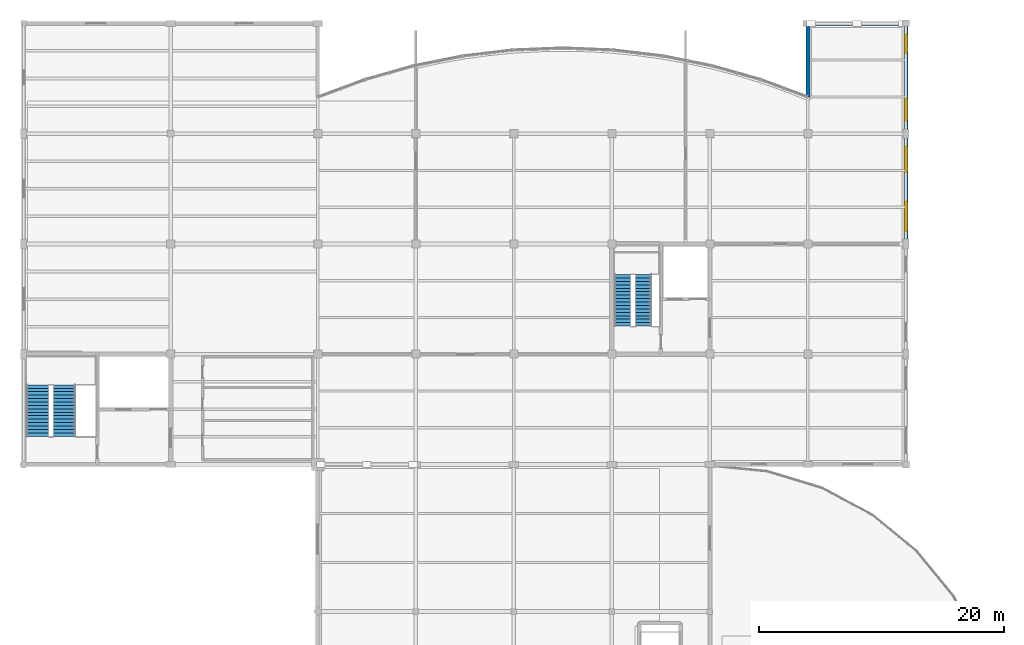
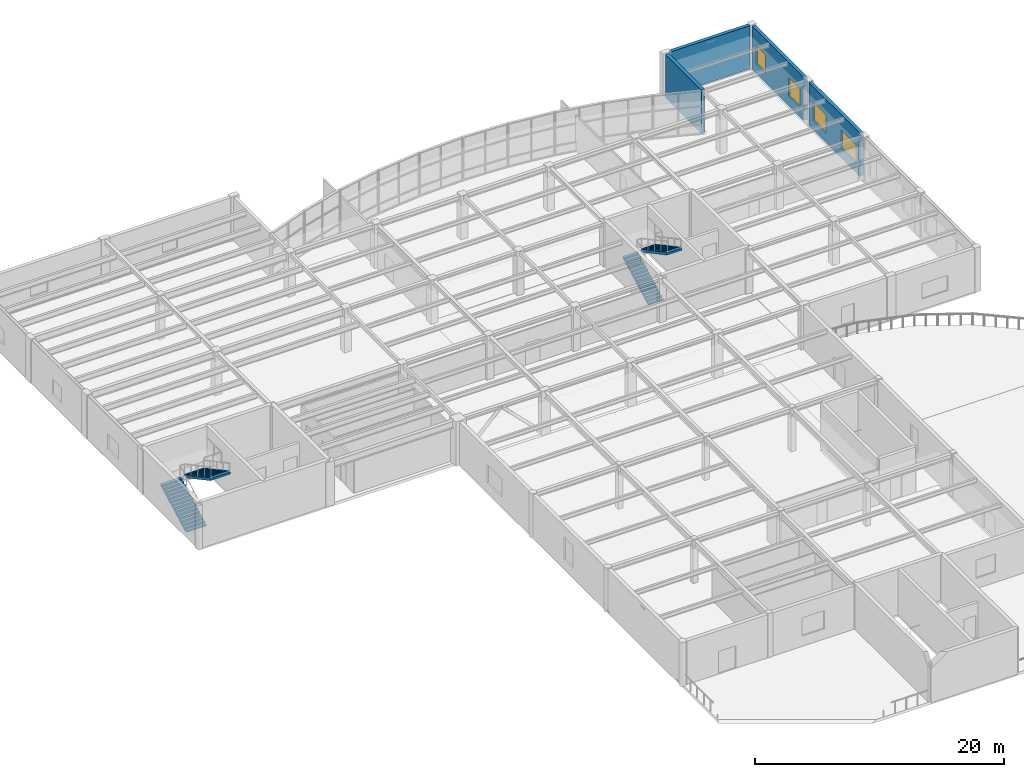
# One storey, part 10 of 16: 4 stair flights, 4 walls, 4 windows, 4 openings, 2 elements without a shape of their own.
"""IFC4 building model written with IfcOpenShell, lengths in metres."""

import ifcopenshell
import ifcopenshell.guid

model = None  # the IFC model being written
_history = None  # IfcOwnerHistory: only IFC2X3 demands one
_inside = {}  # id of a spatial element -> (the spatial element, [elements in it])
_under = {}  # id of a project, library or spatial element -> (it, [spatial elements below it])
_declared = {}  # id of a project -> (the project, [libraries it declares])
_typed = {}  # id of a type object -> (the type object, [elements of that type])
_made_of = {}  # id of a material, layer set ... -> (it, [elements and type objects made of it])


def new_model(schema):
    """Start an empty IFC model of exactly this schema.

    Asked for "IFC4X3", IfcOpenShell would pick the latest addendum, in which some entities
    have other attributes; the version numbers below select the first issue.
    IFC2X3 requires an IfcOwnerHistory on every rooted entity: one is made here for all.
    """
    global model, _history
    if schema == "IFC4X3":
        model = ifcopenshell.file(schema_version=(4, 3, 0, 0))
    else:
        model = ifcopenshell.file(schema=schema)
    _inside.clear()
    _under.clear()
    _declared.clear()
    _typed.clear()
    _made_of.clear()
    _history = None
    if model.schema == "IFC2X3":
        org = make("IfcOrganization", Name="unknown")
        user = make(
            "IfcPersonAndOrganization",
            ThePerson=make("IfcPerson", FamilyName="unknown"),
            TheOrganization=org,
        )
        app = make(
            "IfcApplication",
            ApplicationDeveloper=org,
            Version="unknown",
            ApplicationFullName="unknown",
            ApplicationIdentifier="unknown",
        )
        _history = make(
            "IfcOwnerHistory",
            OwningUser=user,
            OwningApplication=app,
            ChangeAction="ADDED",
            CreationDate=0,
        )
    return model


def make(cls, **values):
    """One entity of the class cls with the attributes given. An attribute that is None is left unset."""
    return model.create_entity(
        cls, **{name: value for name, value in values.items() if value is not None}
    )


def rooted(cls, **values):
    """An entity with a GlobalId (a new one), such as an element, a storey or a relation."""
    return make(cls, GlobalId=ifcopenshell.guid.new(), OwnerHistory=_history, **values)


def si_unit(unit_type, name, prefix=None):
    """IfcSIUnit, for example si_unit("LENGTHUNIT", "METRE", prefix="MILLI")."""
    return make("IfcSIUnit", UnitType=unit_type, Prefix=prefix, Name=name)


def assignment(units):
    """IfcUnitAssignment: the units of a project."""
    return None if units is None else make("IfcUnitAssignment", Units=units)


def point(xyz):
    """IfcCartesianPoint."""
    return None if xyz is None else make("IfcCartesianPoint", Coordinates=xyz)


def direction(xyz):
    """IfcDirection."""
    return None if xyz is None else make("IfcDirection", DirectionRatios=xyz)


def frame(location, z_axis=None, x_axis=None):
    """IfcAxis2Placement3D, a coordinate frame: its origin and axes. An axis left out is left unset."""
    return make(
        "IfcAxis2Placement3D",
        Location=point(location),
        Axis=direction(z_axis),
        RefDirection=direction(x_axis),
    )


def frame_2d(location, x_axis=None):
    """IfcAxis2Placement2D, a coordinate frame in the plane: its origin and x axis."""
    return make(
        "IfcAxis2Placement2D", Location=point(location), RefDirection=direction(x_axis)
    )


def origin():
    """The frame at (0, 0, 0) with its axes left unset."""
    return frame((0.0, 0.0, 0.0))


def place(relative_to, where):
    """IfcLocalPlacement: puts the frame where relative to a parent placement (None: the world)."""
    return make(
        "IfcLocalPlacement", PlacementRelTo=relative_to, RelativePlacement=where
    )


def context(
    kind, dimensions, precision=None, world=None, true_north=None, identifier=None
):
    """IfcGeometricRepresentationContext, for example the 3D "Model" context."""
    return make(
        "IfcGeometricRepresentationContext",
        ContextIdentifier=identifier,
        ContextType=kind,
        CoordinateSpaceDimension=dimensions,
        Precision=precision,
        WorldCoordinateSystem=world,
        TrueNorth=true_north,
    )


def subcontext(parent, identifier, kind, view, scale=None):
    """IfcGeometricRepresentationSubContext, for example "Body" below "Model"."""
    return make(
        "IfcGeometricRepresentationSubContext",
        ContextIdentifier=identifier,
        ContextType=kind,
        ParentContext=parent,
        TargetScale=scale,
        TargetView=view,
    )


def project(units=None, contexts=None):
    """IfcProject with its units and contexts."""
    return rooted(
        "IfcProject",
        Name="project",
        RepresentationContexts=contexts,
        UnitsInContext=assignment(units),
    )


def spatial(cls, under=None, at=None, **own):
    """A site, building, storey or space (cls), placed at a placement, below another one or the project."""
    s = rooted(cls, ObjectPlacement=at, **own)
    if under is not None:
        _under.setdefault(under.id(), (under, []))[1].append(s)
    return s


def polyline(points):
    """IfcPolyline through the points."""
    return make("IfcPolyline", Points=[point(p) for p in points])


def profile(cls, at=None, kind="AREA", **sizes):
    """A parametric profile (cls). Its sizes go by their IFC names, for example OverallWidth=200.0."""
    return make(cls, ProfileType=kind, Position=at, **sizes)


def rectangle(**sizes):
    """IfcRectangleProfileDef."""
    return profile("IfcRectangleProfileDef", **sizes)


def outline(outer, holes=None, kind="AREA"):
    """IfcArbitraryClosedProfileDef: a profile drawn as a closed curve; with holes, ...WithVoids."""
    if holes is None:
        return make("IfcArbitraryClosedProfileDef", ProfileType=kind, OuterCurve=outer)
    return make(
        "IfcArbitraryProfileDefWithVoids",
        ProfileType=kind,
        OuterCurve=outer,
        InnerCurves=holes,
    )


def extrude(swept, where, along, depth):
    """IfcExtrudedAreaSolid: the profile swept, set in the frame where, extruded along a direction by depth."""
    return make(
        "IfcExtrudedAreaSolid",
        SweptArea=swept,
        Position=where,
        ExtrudedDirection=direction(along),
        Depth=depth,
    )


def shape(context_of_items, identifier, shape_type, items):
    """IfcShapeRepresentation: the items that make up one representation, for example the "Body"."""
    return make(
        "IfcShapeRepresentation",
        ContextOfItems=context_of_items,
        RepresentationIdentifier=identifier,
        RepresentationType=shape_type,
        Items=items,
    )


def material(Name=None, Category=None):
    """IfcMaterial."""
    return make("IfcMaterial", Name=Name, Category=Category)


def layer(
    of_material, thickness, ventilated=None, Name=None, Category=None, Priority=None
):
    """IfcMaterialLayer: one layer of a wall or slab, of a material (None: an air gap)."""
    return make(
        "IfcMaterialLayer",
        Material=of_material,
        LayerThickness=thickness,
        IsVentilated=ventilated,
        Name=Name,
        Category=Category,
        Priority=Priority,
    )


def layer_set(layers, Name=None):
    """IfcMaterialLayerSet."""
    return make("IfcMaterialLayerSet", MaterialLayers=layers, LayerSetName=Name)


def made_of(thing, what):
    """Note that an element or type object is made of a material, layer set ...; save() writes the relation."""
    if what is not None:
        _made_of.setdefault(what.id(), (what, []))[1].append(thing)
    return thing


def type_object(cls, material=None, **own):
    """A type object (cls), such as IfcWallType, which elements share."""
    return made_of(rooted(cls, **own), material)


def element(
    cls,
    number,
    at=None,
    inside=None,
    cuts=None,
    type_object=None,
    material=None,
    context=None,
    identifier="Body",
    shape_type=None,
    held_by="IfcProductDefinitionShape",
    body=None,
    shapes=None,
    **own,
):
    """One element of the class cls, such as IfcWall. Its Tag is "e" and its number.

    at: its placement. inside: the storey or other place that contains it. cuts: it is an
    opening in that element (IfcRelVoidsElement). A single representation is given by context,
    identifier, shape_type and body (its items); several are given by shapes. held_by: the class
    of the entity that holds the representations. save() writes the other relations.
    """
    e = rooted(cls, Tag="e%d" % number, ObjectPlacement=at, **own)
    if body is not None:
        shapes = [shape(context, identifier, shape_type, body)]
    if shapes is not None:
        e.Representation = make(held_by, Representations=shapes)
    if inside is not None:
        _inside.setdefault(inside.id(), (inside, []))[1].append(e)
    if cuts is not None:
        rooted(
            "IfcRelVoidsElement", RelatingBuildingElement=cuts, RelatedOpeningElement=e
        )
    if type_object is not None:
        _typed.setdefault(type_object.id(), (type_object, []))[1].append(e)
    return made_of(e, material)


def fill(opening, filler):
    """IfcRelFillsElement: the door or window that sits in an opening."""
    return rooted(
        "IfcRelFillsElement",
        RelatingOpeningElement=opening,
        RelatedBuildingElement=filler,
    )


def aggregate(whole, parts):
    """IfcRelAggregates: a whole, such as a stair, and the parts it consists of."""
    return rooted("IfcRelAggregates", RelatingObject=whole, RelatedObjects=parts)


def save(model, path):
    """Write the relations noted so far, then the file.

    IfcRelAggregates (storeys below a building ...), IfcRelContainedInSpatialStructure (elements
    in a storey), IfcRelDefinesByType, IfcRelAssociatesMaterial and IfcRelDeclares: one each for
    every whole, place, type object, material and project.
    """
    for whole, parts in _under.values():
        aggregate(whole, parts)
    for where, things in _inside.values():
        rooted(
            "IfcRelContainedInSpatialStructure",
            RelatedElements=things,
            RelatingStructure=where,
        )
    for kind, things in _typed.values():
        rooted("IfcRelDefinesByType", RelatedObjects=things, RelatingType=kind)
    for what, things in _made_of.values():
        rooted("IfcRelAssociatesMaterial", RelatedObjects=things, RelatingMaterial=what)
    for by, libraries in _declared.values():
        rooted("IfcRelDeclares", RelatingContext=by, RelatedDefinitions=libraries)
    model.write(path)


model = new_model("IFC4")

# Units and contexts
model_context = context("Model", 3, precision=1e-05, world=origin(), true_north=direction((0.0, 1.0)))
body_context = subcontext(model_context, "Body", "Model", "MODEL_VIEW")
ifc_project = project(units=[si_unit("LENGTHUNIT", "METRE"), si_unit("AREAUNIT", "SQUARE_METRE"), si_unit("VOLUMEUNIT", "CUBIC_METRE"), si_unit("PLANEANGLEUNIT", "RADIAN"), si_unit("MASSUNIT", "GRAM", prefix="KILO")], contexts=[model_context])

# Site, building, storey
site_placement = place(None, origin())
site = spatial("IfcSite", under=ifc_project, at=site_placement, CompositionType="ELEMENT")
building_placement = place(site_placement, origin())
building = spatial("IfcBuilding", under=site, at=building_placement, Name="Keelwater Ferry Terminal", CompositionType="ELEMENT")
storey_placement = place(building_placement, frame((0.0, 0.0, 15.0)))
storey = spatial("IfcBuildingStorey", under=building, at=storey_placement, Name="L03", CompositionType="ELEMENT", Elevation=15.0)

# Wall, openings, windows
ifc_material_1 = material(Name="Precast concrete C40/50", Category="concrete")
ifc_layer = layer(ifc_material_1, 0.320068359375)
ifc_layer_set = layer_set([ifc_layer], Name="Precast concrete C40/50")
wall_type = type_object("IfcWallType", Name="EW-TC320 External Solid Wall 320", PredefinedType="SOLIDWALL", material=ifc_layer_set)
wall_1_placement = place(storey_placement, frame((180.0, 108.39990234375, 0.0), z_axis=(0.0, 0.0, 1.0), x_axis=(0.0, 1.0, 0.0)))
wall_1 = element("IfcWall", 1, at=wall_1_placement, inside=storey, type_object=wall_type, Name="External Wall WL-L03-0111", PredefinedType="SOLIDWALL", context=body_context, shape_type="SweptSolid", body=[
    extrude(rectangle(XDim=8.2001953125, YDim=0.320068359375, at=frame_2d((4.10009765625, 0.0))), origin(), (0.0, 0.0, 1.0), 4.239990234375),
])
opening_1_placement = place(wall_1_placement, frame((0.64990234375, 0.0, 0.949951171875)))
opening_1 = element("IfcOpeningElement", 2, at=opening_1_placement, cuts=wall_1, Name="Opening WN-06", PredefinedType="OPENING", context=body_context, shape_type="SweptSolid", body=[
    extrude(rectangle(XDim=2.39990234375, YDim=1.800048828125, at=frame_2d((1.199951171875, 0.89990234375))), frame((0.0, 0.170166015625, 0.0), z_axis=(0.0, -1.0, 0.0), x_axis=(1.0, 0.0, 0.0)), (0.0, 0.0, 1.0), 0.340087890625),
])
opening_2_placement = place(wall_1_placement, frame((5.449951171875, 0.0, 0.949951171875)))
opening_2 = element("IfcOpeningElement", 3, at=opening_2_placement, cuts=wall_1, Name="Opening WN-07", PredefinedType="OPENING", context=body_context, shape_type="SweptSolid", body=[
    extrude(rectangle(XDim=2.10009765625, YDim=1.800048828125, at=frame_2d((1.050048828125, 0.89990234375))), frame((0.0, 0.170166015625, 0.0), z_axis=(0.0, -1.0, 0.0), x_axis=(1.0, 0.0, 0.0)), (0.0, 0.0, 1.0), 0.340087890625),
])
ifc_material_2 = material(Name="Triple low-E glass in thermally broken aluminium frame", Category="aluminium")
window_type_1 = type_object("IfcWindowType", Name="WN-06 Exterior Window 2400x1800", PartitioningType="SINGLE_PANEL", PredefinedType="WINDOW", material=ifc_material_2)
window_1_placement = place(opening_1_placement, origin())
window_1 = element("IfcWindow", 4, at=window_1_placement, inside=storey, type_object=window_type_1, Name="Window WN-L03-0073", OverallHeight=1.800048828125, OverallWidth=2.39990234375, PartitioningType="SINGLE_PANEL", PredefinedType="WINDOW", context=body_context, shape_type="SweptSolid", body=[
    extrude(rectangle(XDim=2.39990234375, YDim=1.800048828125, at=frame_2d((1.199951171875, 0.89990234375))), frame((0.0, 0.030029296875, 0.0), z_axis=(0.0, -1.0, 0.0), x_axis=(1.0, 0.0, 0.0)), (0.0, 0.0, 1.0), 0.06005859375),
])
fill(opening_1, window_1)
ifc_material_3 = material(Name="Triple low-E glass in thermally broken aluminium frame", Category="aluminium")
window_type_2 = type_object("IfcWindowType", Name="WN-07 Exterior Window 2100x1800", PartitioningType="SINGLE_PANEL", PredefinedType="WINDOW", material=ifc_material_3)
window_2_placement = place(opening_2_placement, origin())
window_2 = element("IfcWindow", 5, at=window_2_placement, inside=storey, type_object=window_type_2, Name="Window WN-L03-0074", OverallHeight=1.800048828125, OverallWidth=2.10009765625, PartitioningType="SINGLE_PANEL", PredefinedType="WINDOW", context=body_context, shape_type="SweptSolid", body=[
    extrude(rectangle(XDim=2.10009765625, YDim=1.800048828125, at=frame_2d((1.050048828125, 0.89990234375))), frame((0.0, 0.030029296875, 0.0), z_axis=(0.0, -1.0, 0.0), x_axis=(1.0, 0.0, 0.0)), (0.0, 0.0, 1.0), 0.06005859375),
])
fill(opening_2, window_2)

wall_2_placement = place(storey_placement, frame((180.0, 117.39990234375, 0.0), z_axis=(0.0, 0.0, 1.0), x_axis=(0.0, 1.0, 0.0)))
wall_2 = element("IfcWall", 6, at=wall_2_placement, inside=storey, type_object=wall_type, Name="External Wall WL-L03-0112", PredefinedType="SOLIDWALL", context=body_context, shape_type="SweptSolid", body=[
    extrude(rectangle(XDim=8.3251953125, YDim=0.320068359375, at=frame_2d((4.16259765625, 0.0))), origin(), (0.0, 0.0, 1.0), 4.239990234375),
])
opening_3_placement = place(wall_2_placement, frame((0.64990234375, 0.0, 0.949951171875)))
opening_3 = element("IfcOpeningElement", 7, at=opening_3_placement, cuts=wall_2, Name="Opening WN-08", PredefinedType="OPENING", context=body_context, shape_type="SweptSolid", body=[
    extrude(rectangle(XDim=1.800048828125, YDim=1.800048828125, at=frame_2d((0.89990234375, 0.89990234375))), frame((0.0, 0.170166015625, 0.0), z_axis=(0.0, -1.0, 0.0), x_axis=(1.0, 0.0, 0.0)), (0.0, 0.0, 1.0), 0.340087890625),
])
opening_4_placement = place(wall_2_placement, frame((6.175048828125, 0.0, 0.949951171875)))
opening_4 = element("IfcOpeningElement", 8, at=opening_4_placement, cuts=wall_2, Name="Opening WN-09", PredefinedType="OPENING", context=body_context, shape_type="SweptSolid", body=[
    extrude(rectangle(XDim=1.5, YDim=1.800048828125, at=frame_2d((0.75, 0.89990234375))), frame((0.0, 0.170166015625, 0.0), z_axis=(0.0, -1.0, 0.0), x_axis=(1.0, 0.0, 0.0)), (0.0, 0.0, 1.0), 0.340087890625),
])
ifc_material_4 = material(Name="Triple low-E glass in thermally broken aluminium frame", Category="aluminium")
window_type_3 = type_object("IfcWindowType", Name="WN-08 Exterior Window 1800x1800", PartitioningType="SINGLE_PANEL", PredefinedType="WINDOW", material=ifc_material_4)
window_3_placement = place(opening_3_placement, origin())
window_3 = element("IfcWindow", 9, at=window_3_placement, inside=storey, type_object=window_type_3, Name="Window WN-L03-0075", OverallHeight=1.800048828125, OverallWidth=1.800048828125, PartitioningType="SINGLE_PANEL", PredefinedType="WINDOW", context=body_context, shape_type="SweptSolid", body=[
    extrude(rectangle(XDim=1.800048828125, YDim=1.800048828125, at=frame_2d((0.89990234375, 0.89990234375))), frame((0.0, 0.030029296875, 0.0), z_axis=(0.0, -1.0, 0.0), x_axis=(1.0, 0.0, 0.0)), (0.0, 0.0, 1.0), 0.06005859375),
])
fill(opening_3, window_3)
ifc_material_5 = material(Name="Triple low-E glass in thermally broken aluminium frame", Category="aluminium")
window_type_4 = type_object("IfcWindowType", Name="WN-09 Exterior Window 1500x1800", PartitioningType="SINGLE_PANEL", PredefinedType="WINDOW", material=ifc_material_5)
window_4_placement = place(opening_4_placement, origin())
window_4 = element("IfcWindow", 10, at=window_4_placement, inside=storey, type_object=window_type_4, Name="Window WN-L03-0076", OverallHeight=1.800048828125, OverallWidth=1.5, PartitioningType="SINGLE_PANEL", PredefinedType="WINDOW", context=body_context, shape_type="SweptSolid", body=[
    extrude(rectangle(XDim=1.5, YDim=1.800048828125, at=frame_2d((0.75, 0.89990234375))), frame((0.0, 0.030029296875, 0.0), z_axis=(0.0, -1.0, 0.0), x_axis=(1.0, 0.0, 0.0)), (0.0, 0.0, 1.0), 0.06005859375),
])
fill(opening_4, window_4)

# Walls
wall_3_placement = place(storey_placement, frame((172.0, 120.0, 0.0), z_axis=(0.0, 0.0, 1.0), x_axis=(0.0, 1.0, 0.0)))
element("IfcWall", 11, at=wall_3_placement, inside=storey, type_object=wall_type, Name="External Wall WL-L03-0119", PredefinedType="SOLIDWALL", context=body_context, shape_type="SweptSolid", body=[
    extrude(rectangle(XDim=5.75, YDim=0.320068359375, at=frame_2d((2.875, 0.0))), origin(), (0.0, 0.0, 1.0), 4.239990234375),
])
wall_4_placement = place(storey_placement, frame((172.39990234375, 126.0, 0.0), z_axis=(0.0, 0.0, 1.0), x_axis=(1.0, 0.0, 0.0)))
element("IfcWall", 12, at=wall_4_placement, inside=storey, type_object=wall_type, Name="External Wall WL-L03-0122", PredefinedType="SOLIDWALL", context=body_context, shape_type="SweptSolid", body=[
    extrude(rectangle(XDim=7.3251953125, YDim=0.320068359375, at=frame_2d((3.66259765625, 0.0))), origin(), (0.0, 0.0, 1.0), 4.239990234375),
])

# Stair, stair flights
ifc_material_6 = material(Name="Concrete C40/50", Category="concrete")
stair_type_1 = type_object("IfcStairType", Name="ST-T05 Half-Turn Stair 1850W 30R", PredefinedType="HALF_TURN_STAIR", material=ifc_material_6)
stair_1_placement = place(storey_placement, origin())
stair_1 = element("IfcStair", 13, at=stair_1_placement, inside=storey, type_object=stair_type_1, Name="Half-Turn Stair ST-C2-L03", PredefinedType="HALF_TURN_STAIR")
ifc_material_7 = material(Name="Concrete C40/50", Category="concrete")
stair_flight_type_1 = type_object("IfcStairFlightType", Name="FL-T05 Straight Flight 1850W 30R", PredefinedType="STRAIGHT", material=ifc_material_7)
stair_flight_1_placement = place(storey_placement, frame((109.125, 92.300048828125, 0.0), z_axis=(0.0, 0.0, 1.0), x_axis=(0.0, 1.0, 0.0)))
stair_flight_1 = element("IfcStairFlight", 14, at=stair_flight_1_placement, type_object=stair_flight_type_1, Name="ST-C2-L03 flight 1", NumberOfRisers=15, NumberOfTreads=14, PredefinedType="STRAIGHT", RiserHeight=0.15, TreadLength=0.28, context=body_context, shape_type="SweptSolid", body=[
    extrude(outline(polyline([(0.0, 0.0), (0.0, 0.14990234375), (0.280029296875, 0.14990234375), (0.280029296875, 0.300048828125), (0.56005859375, 0.300048828125), (0.56005859375, 0.449951171875), (0.840087890625, 0.449951171875), (0.840087890625, 0.60009765625), (1.1201171875, 0.60009765625), (1.1201171875, 0.75), (1.39990234375, 0.75), (1.39990234375, 0.89990234375), (1.679931640625, 0.89990234375), (1.679931640625, 1.050048828125), (1.9599609375, 1.050048828125), (1.9599609375, 1.199951171875), (2.239990234375, 1.199951171875), (2.239990234375, 1.35009765625), (2.52001953125, 1.35009765625), (2.52001953125, 1.5), (2.800048828125, 1.5), (2.800048828125, 1.64990234375), (3.080078125, 1.64990234375), (3.080078125, 1.800048828125), (3.360107421875, 1.800048828125), (3.360107421875, 1.949951171875), (3.639892578125, 1.949951171875), (3.639892578125, 2.10009765625), (3.919921875, 2.10009765625), (3.919921875, 2.25), (4.199951171875, 2.25), (4.199951171875, 2.0458984375), (0.381103515625, 0.0), (0.0, 0.0)])), frame((0.0, 0.925048828125, 0.0), z_axis=(0.0, -1.0, 0.0), x_axis=(1.0, 0.0, 0.0)), (0.0, 0.0, 1.0), 1.85009765625),
])
stair_flight_2_placement = place(storey_placement, frame((111.31494140625, 96.5, 2.25), z_axis=(0.0, 0.0, 1.0), x_axis=(0.0, -1.0, 0.0)))
stair_flight_2 = element("IfcStairFlight", 15, at=stair_flight_2_placement, type_object=stair_flight_type_1, Name="ST-C2-L03 flight 2", NumberOfRisers=15, NumberOfTreads=14, PredefinedType="STRAIGHT", RiserHeight=0.15, TreadLength=0.28, context=body_context, shape_type="SweptSolid", body=[
    extrude(outline(polyline([(0.0, 0.0), (0.0, 0.14990234375), (0.280029296875, 0.14990234375), (0.280029296875, 0.300048828125), (0.56005859375, 0.300048828125), (0.56005859375, 0.449951171875), (0.840087890625, 0.449951171875), (0.840087890625, 0.60009765625), (1.1201171875, 0.60009765625), (1.1201171875, 0.75), (1.39990234375, 0.75), (1.39990234375, 0.89990234375), (1.679931640625, 0.89990234375), (1.679931640625, 1.050048828125), (1.9599609375, 1.050048828125), (1.9599609375, 1.199951171875), (2.239990234375, 1.199951171875), (2.239990234375, 1.35009765625), (2.52001953125, 1.35009765625), (2.52001953125, 1.5), (2.800048828125, 1.5), (2.800048828125, 1.64990234375), (3.080078125, 1.64990234375), (3.080078125, 1.800048828125), (3.360107421875, 1.800048828125), (3.360107421875, 1.949951171875), (3.639892578125, 1.949951171875), (3.639892578125, 2.10009765625), (3.919921875, 2.10009765625), (3.919921875, 2.25), (4.199951171875, 2.25), (4.199951171875, 2.0458984375), (0.381103515625, 0.0), (0.0, 0.0)])), frame((0.0, 0.925048828125, 0.0), z_axis=(0.0, -1.0, 0.0), x_axis=(1.0, 0.0, 0.0)), (0.0, 0.0, 1.0), 1.85009765625),
])
aggregate(stair_1, [stair_flight_1, stair_flight_2])

ifc_material_8 = material(Name="Concrete C40/50", Category="concrete")
stair_type_2 = type_object("IfcStairType", Name="ST-T07 Half-Turn Stair 1350W 30R", PredefinedType="HALF_TURN_STAIR", material=ifc_material_8)
stair_2_placement = place(storey_placement, origin())
stair_2 = element("IfcStair", 16, at=stair_2_placement, inside=storey, type_object=stair_type_2, Name="Half-Turn Stair ST-C3-L03", PredefinedType="HALF_TURN_STAIR")
ifc_material_9 = material(Name="Concrete C40/50", Category="concrete")
stair_flight_type_2 = type_object("IfcStairFlightType", Name="FL-T07 Straight Flight 1350W 30R", PredefinedType="STRAIGHT", material=ifc_material_9)
stair_flight_3_placement = place(storey_placement, frame((156.875, 101.300048828125, 0.0), z_axis=(0.0, 0.0, 1.0), x_axis=(0.0, 1.0, 0.0)))
stair_flight_3 = element("IfcStairFlight", 17, at=stair_flight_3_placement, type_object=stair_flight_type_2, Name="ST-C3-L03 flight 1", NumberOfRisers=15, NumberOfTreads=14, PredefinedType="STRAIGHT", RiserHeight=0.15, TreadLength=0.28, context=body_context, shape_type="SweptSolid", body=[
    extrude(outline(polyline([(0.0, 0.0), (0.0, 0.14990234375), (0.280029296875, 0.14990234375), (0.280029296875, 0.300048828125), (0.56005859375, 0.300048828125), (0.56005859375, 0.449951171875), (0.840087890625, 0.449951171875), (0.840087890625, 0.60009765625), (1.1201171875, 0.60009765625), (1.1201171875, 0.75), (1.39990234375, 0.75), (1.39990234375, 0.89990234375), (1.679931640625, 0.89990234375), (1.679931640625, 1.050048828125), (1.9599609375, 1.050048828125), (1.9599609375, 1.199951171875), (2.239990234375, 1.199951171875), (2.239990234375, 1.35009765625), (2.52001953125, 1.35009765625), (2.52001953125, 1.5), (2.800048828125, 1.5), (2.800048828125, 1.64990234375), (3.080078125, 1.64990234375), (3.080078125, 1.800048828125), (3.360107421875, 1.800048828125), (3.360107421875, 1.949951171875), (3.639892578125, 1.949951171875), (3.639892578125, 2.10009765625), (3.919921875, 2.10009765625), (3.919921875, 2.25), (4.199951171875, 2.25), (4.199951171875, 2.0458984375), (0.381103515625, 0.0), (0.0, 0.0)])), frame((0.0, 0.675048828125, 0.0), z_axis=(0.0, -1.0, 0.0), x_axis=(1.0, 0.0, 0.0)), (0.0, 0.0, 1.0), 1.35009765625),
])
stair_flight_4_placement = place(storey_placement, frame((158.56494140625, 105.5, 2.25), z_axis=(0.0, 0.0, 1.0), x_axis=(0.0, -1.0, 0.0)))
stair_flight_4 = element("IfcStairFlight", 18, at=stair_flight_4_placement, type_object=stair_flight_type_2, Name="ST-C3-L03 flight 2", NumberOfRisers=15, NumberOfTreads=14, PredefinedType="STRAIGHT", RiserHeight=0.15, TreadLength=0.28, context=body_context, shape_type="SweptSolid", body=[
    extrude(outline(polyline([(0.0, 0.0), (0.0, 0.14990234375), (0.280029296875, 0.14990234375), (0.280029296875, 0.300048828125), (0.56005859375, 0.300048828125), (0.56005859375, 0.449951171875), (0.840087890625, 0.449951171875), (0.840087890625, 0.60009765625), (1.1201171875, 0.60009765625), (1.1201171875, 0.75), (1.39990234375, 0.75), (1.39990234375, 0.89990234375), (1.679931640625, 0.89990234375), (1.679931640625, 1.050048828125), (1.9599609375, 1.050048828125), (1.9599609375, 1.199951171875), (2.239990234375, 1.199951171875), (2.239990234375, 1.35009765625), (2.52001953125, 1.35009765625), (2.52001953125, 1.5), (2.800048828125, 1.5), (2.800048828125, 1.64990234375), (3.080078125, 1.64990234375), (3.080078125, 1.800048828125), (3.360107421875, 1.800048828125), (3.360107421875, 1.949951171875), (3.639892578125, 1.949951171875), (3.639892578125, 2.10009765625), (3.919921875, 2.10009765625), (3.919921875, 2.25), (4.199951171875, 2.25), (4.199951171875, 2.0458984375), (0.381103515625, 0.0), (0.0, 0.0)])), frame((0.0, 0.675048828125, 0.0), z_axis=(0.0, -1.0, 0.0), x_axis=(1.0, 0.0, 0.0)), (0.0, 0.0, 1.0), 1.35009765625),
])
aggregate(stair_2, [stair_flight_3, stair_flight_4])

save(model, "model.ifc")
